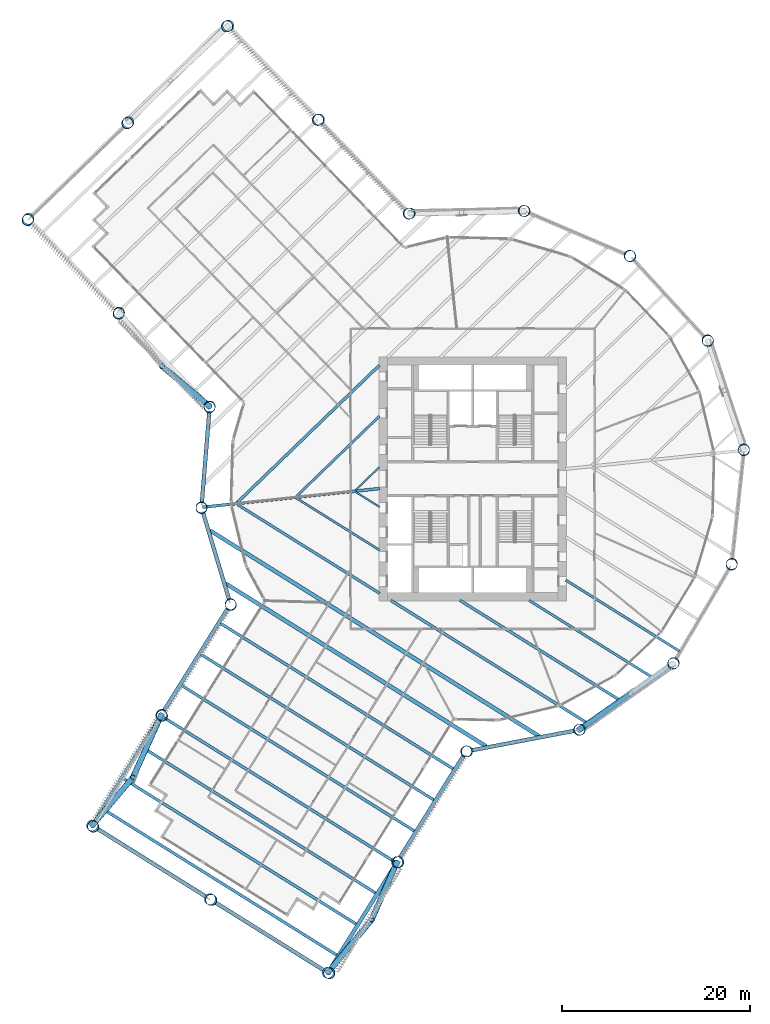
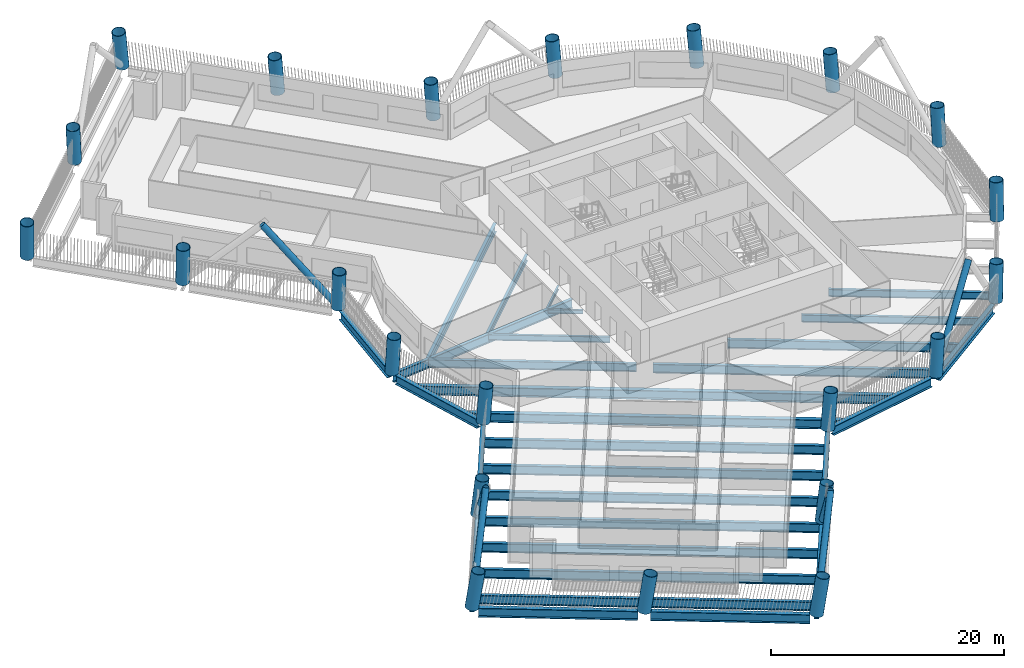
# One storey, part 1 of 22: 30 beams, 22 columns, 6 members.
"""IFC4 building model written with IfcOpenShell, lengths in metres."""

from ifc_helpers import new_model, si_unit, direction, frame, origin, origin_2d, place, context, subcontext, project, spatial, hollow_circle, i_section, extrude, material, material_profile, profile_set, type_object, element, save


model = new_model("IFC4")

# Units and contexts
model_context = context("Model", 3, precision=1e-05, world=origin(), true_north=direction((0.0, 1.0)))
body_context = subcontext(model_context, "Body", "Model", "MODEL_VIEW")
ifc_project = project(units=[si_unit("LENGTHUNIT", "METRE"), si_unit("AREAUNIT", "SQUARE_METRE"), si_unit("VOLUMEUNIT", "CUBIC_METRE"), si_unit("PLANEANGLEUNIT", "RADIAN"), si_unit("MASSUNIT", "GRAM", prefix="KILO")], contexts=[model_context])

# Site, building, storey
site_placement = place(None, origin())
site = spatial("IfcSite", under=ifc_project, at=site_placement, CompositionType="ELEMENT")
building_placement = place(site_placement, origin())
building = spatial("IfcBuilding", under=site, at=building_placement, Name="Tarsis Ring Headquarters", CompositionType="ELEMENT")
storey_placement = place(building_placement, frame((0.0, 0.0, 71.199951171875)))
storey = spatial("IfcBuildingStorey", under=building, at=storey_placement, Name="L15", CompositionType="ELEMENT", Elevation=71.199951171875)

# Columns
ifc_material_1 = material(Name="Structural steel S460", Category="steel")
ifc_material_profile_1 = material_profile(ifc_material_1, hollow_circle(Radius=0.609619140625, WallThickness=0.050048828125, at=origin_2d()), Name="CHS 1219x50")
ifc_profile_set_1 = profile_set([ifc_material_profile_1], Name="Structural steel S460")
column_type = type_object("IfcColumnType", Name="XC Exo column CHS 1219x50", PredefinedType="COLUMN", material=ifc_profile_set_1)
column_1_placement = place(storey_placement, frame((-28.889404296875, -3.036376953125, 0.000732421875), z_axis=(0.008553143868, -0.07729045335, 0.996971930172), x_axis=(0.993932591496, 0.109990924907, 0.0)))
element("IfcColumn", 1, at=column_1_placement, inside=storey, type_object=column_type, Name="Exo column XC1 F1", PredefinedType="COLUMN", context=body_context, shape_type="SweptSolid", body=[
    extrude(hollow_circle(Radius=0.609619140625, WallThickness=0.050048828125, at=origin_2d()), origin(), (0.0, 0.0, 1.0), 3.91064453125),
])
column_2_placement = place(storey_placement, frame((-25.796630859375, -13.354736328125, 0.000732421875), z_axis=(0.03608557732, -0.068862269522, 0.996973329105), x_axis=(0.885752933267, 0.464157022147, 0.0)))
element("IfcColumn", 2, at=column_2_placement, inside=storey, type_object=column_type, Name="Exo column XC1 AK", PredefinedType="COLUMN", context=body_context, shape_type="SweptSolid", body=[
    extrude(hollow_circle(Radius=0.609619140625, WallThickness=0.050048828125, at=origin_2d()), origin(), (0.0, 0.0, 1.0), 3.910400390625),
])
column_3_placement = place(storey_placement, frame((-33.163818359375, -25.14453125, 0.000732421875), z_axis=(0.06759025852, -0.088128734866, 0.993813303918), x_axis=(0.793498115784, 0.608572707445, 0.0)))
element("IfcColumn", 3, at=column_3_placement, inside=storey, type_object=column_type, Name="Exo column XC1 AI1", PredefinedType="COLUMN", context=body_context, shape_type="SweptSolid", body=[
    extrude(hollow_circle(Radius=0.609619140625, WallThickness=0.050048828125, at=origin_2d()), origin(), (0.0, 0.0, 1.0), 3.922607421875),
])
column_4_placement = place(storey_placement, frame((-40.53076171875, -36.934326171875, 0.0009765625), z_axis=(0.098704079845, -0.107130793504, 0.989333360251), x_axis=(0.735439115942, 0.677590810698, 0.0)))
element("IfcColumn", 4, at=column_4_placement, inside=storey, type_object=column_type, Name="Exo column XC1 AT1", PredefinedType="COLUMN", context=body_context, shape_type="SweptSolid", body=[
    extrude(hollow_circle(Radius=0.609619140625, WallThickness=0.050048828125, at=origin_2d()), origin(), (0.0, 0.0, 1.0), 3.940185546875),
])
column_5_placement = place(storey_placement, frame((-27.979736328125, -44.777099609375, 0.0009765625), z_axis=(0.119429767014, -0.073728968318, 0.990101292789), x_axis=(0.525304748527, 0.850914167925, 0.0)))
element("IfcColumn", 5, at=column_5_placement, inside=storey, type_object=column_type, Name="Exo column XC1 AT2", PredefinedType="COLUMN", context=body_context, shape_type="SweptSolid", body=[
    extrude(hollow_circle(Radius=0.609619140625, WallThickness=0.050048828125, at=origin_2d()), origin(), (0.0, 0.0, 1.0), 3.937255859375),
])
column_6_placement = place(storey_placement, frame((-15.428466796875, -52.619873046875, 0.0009765625), z_axis=(0.139970946797, -0.040212990027, 0.98933869301), x_axis=(0.276125666252, 0.961121540929, 0.0)))
element("IfcColumn", 6, at=column_6_placement, inside=storey, type_object=column_type, Name="Exo column XC1 AT3", PredefinedType="COLUMN", context=body_context, shape_type="SweptSolid", body=[
    extrude(hollow_circle(Radius=0.609619140625, WallThickness=0.050048828125, at=origin_2d()), origin(), (0.0, 0.0, 1.0), 3.940185546875),
])
column_7_placement = place(storey_placement, frame((-8.0615234375, -40.830078125, 0.000732421875), z_axis=(0.109102568834, -0.02091184434, 0.99381050721), x_axis=(0.188244747284, 0.982122148778, 0.0)))
element("IfcColumn", 7, at=column_7_placement, inside=storey, type_object=column_type, Name="Exo column XC1 AO1", PredefinedType="COLUMN", context=body_context, shape_type="SweptSolid", body=[
    extrude(hollow_circle(Radius=0.609619140625, WallThickness=0.050048828125, at=origin_2d()), origin(), (0.0, 0.0, 1.0), 3.922607421875),
])
for number, where, z_axis, x_axis, name in (
    (8, (-0.6943359375, -29.040283203125, 0.000732421875), (0.077727605421, -0.001435931666, 0.996973599177), (0.018470743959, 0.999829401257, 0.0), "Exo column XC1 AJ"),
    (9, (11.33740234375, -26.74462890625, 0.000732421875), (0.07142195821, 0.030716436573, 0.996973121207), (-0.395081966336, 0.918645872944, 0.0), "Exo column XC1 R1"),
):
    element("IfcColumn", number, at=place(storey_placement, frame(where, z_axis=z_axis, x_axis=x_axis)), inside=storey, type_object=column_type, Name=name, PredefinedType="COLUMN", context=body_context, shape_type="SweptSolid", body=[
        extrude(hollow_circle(Radius=0.609619140625, WallThickness=0.050048828125, at=origin_2d()), origin(), (0.0, 0.0, 1.0), 3.910400390625),
    ])
column_8_placement = place(storey_placement, frame((21.353271484375, -19.69384765625, 0.000732421875), z_axis=(0.052442573944, 0.057437104796, 0.996970789658), x_axis=(-0.738485493928, 0.674269364021, 0.0)))
element("IfcColumn", 10, at=column_8_placement, inside=storey, type_object=column_type, Name="Exo column XC1 R2", PredefinedType="COLUMN", context=body_context, shape_type="SweptSolid", body=[
    extrude(hollow_circle(Radius=0.609619140625, WallThickness=0.050048828125, at=origin_2d()), origin(), (0.0, 0.0, 1.0), 3.91064453125),
])
column_9_placement = place(storey_placement, frame((27.57275390625, -9.141357421875, 0.000732421875), z_axis=(0.024036269617, 0.073919333055, 0.996974518202), x_axis=(-0.950986837379, 0.309231361817, 0.0)))
element("IfcColumn", 11, at=column_9_placement, inside=storey, type_object=column_type, Name="Exo column XC1 R3", PredefinedType="COLUMN", context=body_context, shape_type="SweptSolid", body=[
    extrude(hollow_circle(Radius=0.609619140625, WallThickness=0.050048828125, at=origin_2d()), origin(), (0.0, 0.0, 1.0), 3.910400390625),
])
column_10_placement = place(storey_placement, frame((28.889404296875, 3.036376953125, 0.000732421875), z_axis=(-0.008553143868, 0.07729045335, 0.996971930172), x_axis=(-0.993932591496, -0.109990924907, 0.0)))
element("IfcColumn", 12, at=column_10_placement, inside=storey, type_object=column_type, Name="Exo column XC1 R4", PredefinedType="COLUMN", context=body_context, shape_type="SweptSolid", body=[
    extrude(hollow_circle(Radius=0.609619140625, WallThickness=0.050048828125, at=origin_2d()), origin(), (0.0, 0.0, 1.0), 3.91064453125),
])
column_11_placement = place(storey_placement, frame((25.0693359375, 14.67431640625, 0.000732421875), z_axis=(-0.03958172334, 0.066926825585, 0.9969724606), x_axis=(-0.860734650536, -0.50905388847, 0.0)))
element("IfcColumn", 13, at=column_11_placement, inside=storey, type_object=column_type, Name="Exo column XC1 R5", PredefinedType="COLUMN", context=body_context, shape_type="SweptSolid", body=[
    extrude(hollow_circle(Radius=0.609619140625, WallThickness=0.050048828125, at=origin_2d()), origin(), (0.0, 0.0, 1.0), 3.910400390625),
])
column_12_placement = place(storey_placement, frame((16.7919921875, 23.703125, 0.000732421875), z_axis=(-0.0636803149, 0.044638652111, 0.996971518265), x_axis=(-0.574001011359, -0.818854589631, 0.0)))
element("IfcColumn", 14, at=column_12_placement, inside=storey, type_object=column_type, Name="Exo column XC1 R6", PredefinedType="COLUMN", context=body_context, shape_type="SweptSolid", body=[
    extrude(hollow_circle(Radius=0.609619140625, WallThickness=0.050048828125, at=origin_2d()), origin(), (0.0, 0.0, 1.0), 3.91064453125),
])
for number, where, z_axis, x_axis, name in (
    (15, (5.529052734375, 28.517578125, 0.000732421875), (-0.076416459639, 0.014359302056, 0.996972584949), (-0.184676356201, -0.98279939126, 0.0), "Exo column XC1 R7"),
    (16, (-6.71728515625, 28.26123046875, 0.000732421875), (-0.075542494666, -0.018354953249, 0.99697363415), (0.236105662795, -0.971727387695, 0.0), "Exo column XC1 BJ"),
):
    element("IfcColumn", number, at=place(storey_placement, frame(where, z_axis=z_axis, x_axis=x_axis)), inside=storey, type_object=column_type, Name=name, PredefinedType="COLUMN", context=body_context, shape_type="SweptSolid", body=[
        extrude(hollow_circle(Radius=0.609619140625, WallThickness=0.050048828125, at=origin_2d()), origin(), (0.0, 0.0, 1.0), 3.910400390625),
    ])
column_13_placement = place(storey_placement, frame((-16.37451171875, 38.26171875, 0.000732421875), z_axis=(-0.10188312488, -0.044251009035, 0.993811690948), x_axis=(0.398377784142, -0.917221424249, 0.0)))
element("IfcColumn", 17, at=column_13_placement, inside=storey, type_object=column_type, Name="Exo column XC1 BO1", PredefinedType="COLUMN", context=body_context, shape_type="SweptSolid", body=[
    extrude(hollow_circle(Radius=0.609619140625, WallThickness=0.050048828125, at=origin_2d()), origin(), (0.0, 0.0, 1.0), 3.922607421875),
])
column_14_placement = place(storey_placement, frame((-26.03173828125, 48.261962890625, 0.0009765625), z_axis=(-0.127887002391, -0.069829773108, 0.989327406578), x_axis=(0.479239399673, -0.877684224423, 0.0)))
element("IfcColumn", 18, at=column_14_placement, inside=storey, type_object=column_type, Name="Exo column XC1 BT3", PredefinedType="COLUMN", context=body_context, shape_type="SweptSolid", body=[
    extrude(hollow_circle(Radius=0.609619140625, WallThickness=0.050048828125, at=origin_2d()), origin(), (0.0, 0.0, 1.0), 3.940185546875),
])
column_15_placement = place(storey_placement, frame((-36.677978515625, 37.98095703125, 0.0009765625), z_axis=(-0.100454796665, -0.098036440449, 0.990099838487), x_axis=(0.69843977243, -0.715668837025, 0.0)))
element("IfcColumn", 19, at=column_15_placement, inside=storey, type_object=column_type, Name="Exo column XC1 BT2", PredefinedType="COLUMN", context=body_context, shape_type="SweptSolid", body=[
    extrude(hollow_circle(Radius=0.609619140625, WallThickness=0.050048828125, at=origin_2d()), origin(), (0.0, 0.0, 1.0), 3.937255859375),
])
column_16_placement = place(storey_placement, frame((-47.32421875, 27.7001953125, 0.0009765625), z_axis=(-0.072927754961, -0.126152004333, 0.989326646947), x_axis=(0.865746346429, -0.500483030327, 0.0)))
element("IfcColumn", 20, at=column_16_placement, inside=storey, type_object=column_type, Name="Exo column XC1 BT1", PredefinedType="COLUMN", context=body_context, shape_type="SweptSolid", body=[
    extrude(hollow_circle(Radius=0.609619140625, WallThickness=0.050048828125, at=origin_2d()), origin(), (0.0, 0.0, 1.0), 3.940185546875),
])
column_17_placement = place(storey_placement, frame((-37.6669921875, 17.69970703125, 0.000732421875), z_axis=(-0.046678426843, -0.100763164078, 0.99381482643), x_axis=(0.907367960467, -0.4203372269, 0.0)))
element("IfcColumn", 21, at=column_17_placement, inside=storey, type_object=column_type, Name="Exo column XC1 BI1", PredefinedType="COLUMN", context=body_context, shape_type="SweptSolid", body=[
    extrude(hollow_circle(Radius=0.609619140625, WallThickness=0.050048828125, at=origin_2d()), origin(), (0.0, 0.0, 1.0), 3.922607421875),
])
column_18_placement = place(storey_placement, frame((-28.009521484375, 7.69921875, 0.000732421875), z_axis=(-0.020227937465, -0.07504315072, 0.996975103037), x_axis=(0.965538157835, -0.260261533393, 0.0)))
element("IfcColumn", 22, at=column_18_placement, inside=storey, type_object=column_type, Name="Exo column XC1 BK", PredefinedType="COLUMN", context=body_context, shape_type="SweptSolid", body=[
    extrude(hollow_circle(Radius=0.609619140625, WallThickness=0.050048828125, at=origin_2d()), origin(), (0.0, 0.0, 1.0), 3.910400390625),
])

# Beams
ifc_material_2 = material(Name="Structural steel S355", Category="steel")
ifc_material_profile_2 = material_profile(ifc_material_2, i_section(OverallWidth=0.177734375, OverallDepth=0.406494140625, WebThickness=0.0078125, FlangeThickness=0.0126953125, at=origin_2d()), Name="W16x40")
ifc_profile_set_2 = profile_set([ifc_material_profile_2], Name="Structural steel S355")
beam_type_1 = type_object("IfcBeamType", Name="FB Floor beam W16x40", PredefinedType="JOIST", material=ifc_profile_set_2)
beam_1_placement = place(storey_placement, frame((-12.47119140625, -1.40478515625, -0.363037109375), z_axis=(0.848039258957, -0.529933406447, 0.0), x_axis=(0.529933406447, 0.848039258957, 0.0)))
element("IfcBeam", 23, at=beam_1_placement, inside=storey, type_object=beam_type_1, Name="Floor beam FB1", PredefinedType="JOIST", context=body_context, shape_type="SweptSolid", body=[
    extrude(i_section(OverallWidth=0.177734375, OverallDepth=0.406494140625, WebThickness=0.0078125, FlangeThickness=0.0126953125, at=origin_2d()), origin(), (0.0, 0.0, 1.0), 3.013916015625),
])
beam_2_placement = place(storey_placement, frame((-9.927978515625, 1.255859375, -0.363037109375), z_axis=(-0.7193341526, -0.694664218816, 0.0), x_axis=(0.694664218816, -0.7193341526, 0.0)))
element("IfcBeam", 24, at=beam_2_placement, inside=storey, type_object=beam_type_1, Name="Floor beam FB1", PredefinedType="JOIST", context=body_context, shape_type="SweptSolid", body=[
    extrude(i_section(OverallWidth=0.177734375, OverallDepth=0.406494140625, WebThickness=0.0078125, FlangeThickness=0.0126953125, at=origin_2d()), origin(), (0.0, 0.0, 1.0), 3.562744140625),
])
ifc_material_profile_3 = material_profile(ifc_material_2, i_section(OverallWidth=0.228271484375, OverallDepth=0.607177734375, WebThickness=0.01123046875, FlangeThickness=0.017333984375, at=origin_2d()), Name="W24x76")
ifc_profile_set_3 = profile_set([ifc_material_profile_3], Name="Structural steel S355")
beam_type_2 = type_object("IfcBeamType", Name="FB Floor beam W24x76", PredefinedType="JOIST", material=ifc_profile_set_3)
beam_3_placement = place(storey_placement, frame((-18.771240234375, -2.06689453125, -0.463623046875), z_axis=(0.84805346358, -0.529910674464, 0.0), x_axis=(0.529910674464, 0.84805346358, 0.0)))
element("IfcBeam", 25, at=beam_3_placement, inside=storey, type_object=beam_type_2, Name="Floor beam FB4", PredefinedType="JOIST", context=body_context, shape_type="SweptSolid", body=[
    extrude(i_section(OverallWidth=0.228271484375, OverallDepth=0.607177734375, WebThickness=0.01123046875, FlangeThickness=0.017333984375, at=origin_2d()), origin(), (0.0, 0.0, 1.0), 10.442626953125),
])
ifc_material_profile_4 = material_profile(ifc_material_2, i_section(OverallWidth=0.2529296875, OverallDepth=0.67822265625, WebThickness=0.01171875, FlangeThickness=0.016357421875, at=origin_2d()), Name="W27x84")
ifc_profile_set_4 = profile_set([ifc_material_profile_4], Name="Structural steel S355")
beam_type_3 = type_object("IfcBeamType", Name="FB Floor beam W27x84", PredefinedType="JOIST", material=ifc_profile_set_4)
beam_4_placement = place(storey_placement, frame((-9.927978515625, 6.677490234375, -0.4990234375), z_axis=(-0.71934409672, -0.694653921399, 0.0), x_axis=(0.694653921399, -0.71934409672, 0.0)))
element("IfcBeam", 26, at=beam_4_placement, inside=storey, type_object=beam_type_3, Name="Floor beam FB5", PredefinedType="JOIST", context=body_context, shape_type="SweptSolid", body=[
    extrude(i_section(OverallWidth=0.2529296875, OverallDepth=0.67822265625, WebThickness=0.01171875, FlangeThickness=0.016357421875, at=origin_2d()), origin(), (0.0, 0.0, 1.0), 12.320556640625),
])
ifc_material_profile_5 = material_profile(ifc_material_2, i_section(OverallWidth=0.2666015625, OverallDepth=0.7568359375, WebThickness=0.013916015625, FlangeThickness=0.019287109375, at=origin_2d()), Name="W30x108")
ifc_profile_set_5 = profile_set([ifc_material_profile_5], Name="Structural steel S355")
beam_type_4 = type_object("IfcBeamType", Name="FB Floor beam W30x108", PredefinedType="JOIST", material=ifc_profile_set_5)
beam_5_placement = place(storey_placement, frame((9.915283203125, -10.79443359375, -0.538330078125), z_axis=(0.84804445153, -0.529925096811, 0.0), x_axis=(0.529925096811, 0.84804445153, 0.0)))
element("IfcBeam", 27, at=beam_5_placement, inside=storey, type_object=beam_type_4, Name="Floor beam FB6", PredefinedType="JOIST", context=body_context, shape_type="SweptSolid", body=[
    extrude(i_section(OverallWidth=0.2666015625, OverallDepth=0.7568359375, WebThickness=0.013916015625, FlangeThickness=0.019287109375, at=origin_2d()), origin(), (0.0, 0.0, 1.0), 14.265380859375),
])
beam_6_placement = place(storey_placement, frame((6.000244140625, -12.947021484375, -0.538330078125), z_axis=(0.848047134159, -0.529920803748, 0.0), x_axis=(0.529920803748, 0.848047134159, 0.0)))
element("IfcBeam", 28, at=beam_6_placement, inside=storey, type_object=beam_type_4, Name="Floor beam FB6", PredefinedType="JOIST", context=body_context, shape_type="SweptSolid", body=[
    extrude(i_section(OverallWidth=0.2666015625, OverallDepth=0.7568359375, WebThickness=0.013916015625, FlangeThickness=0.019287109375, at=origin_2d()), origin(), (0.0, 0.0, 1.0), 15.44775390625),
])
ifc_material_profile_6 = material_profile(ifc_material_2, i_section(OverallWidth=0.2919921875, OverallDepth=0.835693359375, WebThickness=0.013916015625, FlangeThickness=0.018798828125, at=origin_2d()), Name="W33x118")
ifc_profile_set_6 = profile_set([ifc_material_profile_6], Name="Structural steel S355")
beam_type_5 = type_object("IfcBeamType", Name="FB Floor beam W33x118", PredefinedType="JOIST", material=ifc_profile_set_6)
beam_7_placement = place(storey_placement, frame((-25.071044921875, -2.72900390625, -0.577880859375), z_axis=(0.848045883752, -0.529922804804, 0.0), x_axis=(0.529922804804, 0.848045883752, 0.0)))
element("IfcBeam", 29, at=beam_7_placement, inside=storey, type_object=beam_type_5, Name="Floor beam FB7", PredefinedType="JOIST", context=body_context, shape_type="SweptSolid", body=[
    extrude(i_section(OverallWidth=0.2919921875, OverallDepth=0.835693359375, WebThickness=0.013916015625, FlangeThickness=0.018798828125, at=origin_2d()), origin(), (0.0, 0.0, 1.0), 17.871337890625),
])
ifc_material_profile_7 = material_profile(ifc_material_2, i_section(OverallWidth=0.3046875, OverallDepth=0.904296875, WebThickness=0.01513671875, FlangeThickness=0.02001953125, at=origin_2d()), Name="W36x135")
ifc_profile_set_7 = profile_set([ifc_material_profile_7], Name="Structural steel S355")
beam_type_6 = type_object("IfcBeamType", Name="FB Floor beam W36x135", PredefinedType="JOIST", material=ifc_profile_set_7)
beam_8_placement = place(storey_placement, frame((-1.359375, -12.947021484375, -0.612060546875), z_axis=(0.848048249983, -0.52991901806, 0.0), x_axis=(0.52991901806, 0.848048249983, 0.0)))
element("IfcBeam", 30, at=beam_8_placement, inside=storey, type_object=beam_type_6, Name="Floor beam FB8", PredefinedType="JOIST", context=body_context, shape_type="SweptSolid", body=[
    extrude(i_section(OverallWidth=0.3046875, OverallDepth=0.904296875, WebThickness=0.01513671875, FlangeThickness=0.02001953125, at=origin_2d()), origin(), (0.0, 0.0, 1.0), 20.045166015625),
])
beam_9_placement = place(storey_placement, frame((-9.927978515625, 12.09912109375, -0.612060546875), z_axis=(-0.719340188393, -0.694657968616, 0.0), x_axis=(0.694657968616, -0.719340188393, 0.0)))
element("IfcBeam", 31, at=beam_9_placement, inside=storey, type_object=beam_type_6, Name="Floor beam FB8", PredefinedType="JOIST", context=body_context, shape_type="SweptSolid", body=[
    extrude(i_section(OverallWidth=0.3046875, OverallDepth=0.904296875, WebThickness=0.01513671875, FlangeThickness=0.02001953125, at=origin_2d()), origin(), (0.0, 0.0, 1.0), 21.078369140625),
])
ifc_material_profile_8 = material_profile(ifc_material_2, i_section(OverallWidth=0.309814453125, OverallDepth=0.93212890625, WebThickness=0.02099609375, FlangeThickness=0.034423828125, at=origin_2d()), Name="W36x210")
ifc_profile_set_8 = profile_set([ifc_material_profile_8], Name="Structural steel S355")
beam_type_7 = type_object("IfcBeamType", Name="FB Floor beam W36x210", PredefinedType="JOIST", material=ifc_profile_set_8)
beam_10_placement = place(storey_placement, frame((-8.718994140625, -12.947021484375, -0.6259765625), z_axis=(0.848046167339, -0.529922350974, 0.0), x_axis=(0.529922350974, 0.848046167339, 0.0)))
element("IfcBeam", 32, at=beam_10_placement, inside=storey, type_object=beam_type_7, Name="Floor beam FB10", PredefinedType="JOIST", context=body_context, shape_type="SweptSolid", body=[
    extrude(i_section(OverallWidth=0.309814453125, OverallDepth=0.93212890625, WebThickness=0.02099609375, FlangeThickness=0.034423828125, at=origin_2d()), origin(), (0.0, 0.0, 1.0), 24.642578125),
])
ifc_material_profile_9 = material_profile(ifc_material_2, i_section(OverallWidth=0.309814453125, OverallDepth=0.949951171875, WebThickness=0.0244140625, FlangeThickness=0.0439453125, at=origin_2d()), Name="W36x256")
ifc_profile_set_9 = profile_set([ifc_material_profile_9], Name="Structural steel S355")
beam_type_8 = type_object("IfcBeamType", Name="FB Floor beam W36x256", PredefinedType="JOIST", material=ifc_profile_set_9)
for number, where, z_axis, x_axis, name in (
    (33, (-26.9228515625, -15.368408203125, -0.635009765625), (0.848050593573, -0.529915267511, 0.0), (0.529915267511, 0.848050593573, 0.0), "Floor beam FB11"),
    (34, (-28.989501953125, -18.67578125, -0.635009765625), (0.848050593573, -0.529915267511, 0.0), (0.529915267511, 0.848050593573, 0.0), "Floor beam FB11"),
    (35, (-31.05615234375, -21.983154296875, -0.635009765625), (0.848050593573, -0.529915267511, 0.0), (0.529915267511, 0.848050593573, 0.0), "Floor beam FB11"),
    (36, (-33.122802734375, -25.29052734375, -0.635009765625), (0.848050593573, -0.529915267511, 0.0), (0.529915267511, 0.848050593573, 0.0), "Floor beam FB11"),
    (37, (-35.189697265625, -28.597900390625, -0.635009765625), (0.848050593573, -0.529915267511, 0.0), (0.529915267511, 0.848050593573, 0.0), "Floor beam FB11"),
):
    element("IfcBeam", number, at=place(storey_placement, frame(where, z_axis=z_axis, x_axis=x_axis)), inside=storey, type_object=beam_type_8, Name=name, PredefinedType="JOIST", context=body_context, shape_type="SweptSolid", body=[
        extrude(i_section(OverallWidth=0.309814453125, OverallDepth=0.949951171875, WebThickness=0.0244140625, FlangeThickness=0.0439453125, at=origin_2d()), origin(), (0.0, 0.0, 1.0), 29.375732421875),
    ])
for number, where, z_axis, x_axis, name in (
    (38, (-37.25634765625, -31.9052734375, -0.635009765625), (0.848046858664, -0.529921244631, 0.0), (0.529921244631, 0.848046858664, 0.0), "Floor beam FB11"),
    (39, (-39.322998046875, -35.212646484375, -0.635009765625), (0.848046858664, -0.529921244631, 0.0), (0.529921244631, 0.848046858664, 0.0), "Floor beam FB11"),
):
    element("IfcBeam", number, at=place(storey_placement, frame(where, z_axis=z_axis, x_axis=x_axis)), inside=storey, type_object=beam_type_8, Name=name, PredefinedType="JOIST", context=body_context, shape_type="SweptSolid", body=[
        extrude(i_section(OverallWidth=0.309814453125, OverallDepth=0.949951171875, WebThickness=0.0244140625, FlangeThickness=0.0439453125, at=origin_2d()), origin(), (0.0, 0.0, 1.0), 29.3759765625),
    ])
beam_type_9 = type_object("IfcBeamType", Name="FB Floor beam W36x256 spine", PredefinedType="BEAM", material=ifc_profile_set_9)
beam_11_placement = place(storey_placement, frame((-9.900634765625, -1.04052734375, -0.635009765625), z_axis=(-0.994522146805, -0.104526070975, 0.0), x_axis=(0.104526070975, -0.994522146805, 0.0)))
element("IfcBeam", 40, at=beam_11_placement, inside=storey, type_object=beam_type_9, Name="Floor beam SB11", PredefinedType="BEAM", context=body_context, shape_type="SweptSolid", body=[
    extrude(i_section(OverallWidth=0.309814453125, OverallDepth=0.949951171875, WebThickness=0.0244140625, FlangeThickness=0.0439453125, at=origin_2d()), origin(), (0.0, 0.0, 1.0), 18.9775390625),
])
ifc_material_profile_10 = material_profile(ifc_material_2, i_section(OverallWidth=0.42431640625, OverallDepth=0.947509765625, WebThickness=0.02392578125, FlangeThickness=0.042724609375, at=origin_2d()), Name="W36x302")
ifc_profile_set_10 = profile_set([ifc_material_profile_10], Name="Structural steel S355")
beam_type_10 = type_object("IfcBeamType", Name="FB Floor beam W36x302", PredefinedType="JOIST", material=ifc_profile_set_10)
beam_12_placement = place(storey_placement, frame((-27.9990234375, -5.498291015625, -0.633544921875), z_axis=(0.848047388256, -0.52992039711, 0.0), x_axis=(0.52992039711, 0.848047388256, 0.0)))
element("IfcBeam", 41, at=beam_12_placement, inside=storey, type_object=beam_type_10, Name="Floor beam FB12", PredefinedType="JOIST", context=body_context, shape_type="SweptSolid", body=[
    extrude(i_section(OverallWidth=0.42431640625, OverallDepth=0.947509765625, WebThickness=0.02392578125, FlangeThickness=0.042724609375, at=origin_2d()), origin(), (0.0, 0.0, 1.0), 41.35302734375),
])
beam_13_placement = place(storey_placement, frame((-26.302978515625, -11.156982421875, -0.633544921875), z_axis=(0.848048206813, -0.529919087146, 0.0), x_axis=(0.529919087146, 0.848048206813, 0.0)))
element("IfcBeam", 42, at=beam_13_placement, inside=storey, type_object=beam_type_10, Name="Floor beam FB12", PredefinedType="JOIST", context=body_context, shape_type="SweptSolid", body=[
    extrude(i_section(OverallWidth=0.42431640625, OverallDepth=0.947509765625, WebThickness=0.02392578125, FlangeThickness=0.042724609375, at=origin_2d()), origin(), (0.0, 0.0, 1.0), 32.70458984375),
])

# Members
ifc_material_profile_11 = material_profile(ifc_material_2, hollow_circle(Radius=0.3046875, WallThickness=0.02490234375, at=origin_2d()), Name="CHS 610x25")
ifc_profile_set_11 = profile_set([ifc_material_profile_11], Name="Structural steel S355")
member_type = type_object("IfcMemberType", Name="XD X brace CHS 610x25", PredefinedType="BRACE", material=ifc_profile_set_11)
member_1_placement = place(storey_placement, frame((-33.163818359375, -25.144287109375, 0.0), z_axis=(-0.282922071663, -0.622807552687, 0.729428443154), x_axis=(0.910461323405, -0.413594219716, 0.0)))
element("IfcMember", 43, at=member_1_placement, inside=storey, type_object=member_type, Name="X brace XD1", PredefinedType="BRACE", context=body_context, shape_type="SweptSolid", body=[
    extrude(hollow_circle(Radius=0.3046875, WallThickness=0.02490234375, at=origin_2d()), origin(), (0.0, 0.0, 1.0), 10.693359375),
])
member_2_placement = place(storey_placement, frame((-40.53076171875, -36.93408203125, 0.0), z_axis=(0.421677860906, 0.49824524621, 0.757587919816), x_axis=(-0.763321517682, 0.646018777315, 0.0)))
element("IfcMember", 44, at=member_2_placement, inside=storey, type_object=member_type, Name="X brace XD1", PredefinedType="BRACE", context=body_context, shape_type="SweptSolid", body=[
    extrude(hollow_circle(Radius=0.3046875, WallThickness=0.02490234375, at=origin_2d()), origin(), (0.0, 0.0, 1.0), 10.2958984375),
])
member_3_placement = place(storey_placement, frame((-15.4287109375, -52.61962890625, 0.0), z_axis=(0.435706051507, 0.528561813361, 0.728548314209), x_axis=(-0.771629372169, 0.636072410977, 0.0)))
element("IfcMember", 45, at=member_3_placement, inside=storey, type_object=member_type, Name="X brace XD1", PredefinedType="BRACE", context=body_context, shape_type="SweptSolid", body=[
    extrude(hollow_circle(Radius=0.3046875, WallThickness=0.02490234375, at=origin_2d()), origin(), (0.0, 0.0, 1.0), 10.706298828125),
])
member_4_placement = place(storey_placement, frame((-8.0615234375, -40.830078125, 0.0), z_axis=(-0.262816824093, -0.596223079753, 0.75858114671), x_axis=(0.915044016945, -0.403353997195, 0.0)))
element("IfcMember", 46, at=member_4_placement, inside=storey, type_object=member_type, Name="X brace XD1", PredefinedType="BRACE", context=body_context, shape_type="SweptSolid", body=[
    extrude(hollow_circle(Radius=0.3046875, WallThickness=0.02490234375, at=origin_2d()), origin(), (0.0, 0.0, 1.0), 10.282470703125),
])
member_5_placement = place(storey_placement, frame((11.33740234375, -26.74462890625, 0.0), z_axis=(0.533337833297, 0.376182216523, 0.757652753936), x_axis=(-0.576385009298, 0.817178267611, 0.0)))
element("IfcMember", 47, at=member_5_placement, inside=storey, type_object=member_type, Name="X brace XD1", PredefinedType="BRACE", context=body_context, shape_type="SweptSolid", body=[
    extrude(hollow_circle(Radius=0.3046875, WallThickness=0.02490234375, at=origin_2d()), origin(), (0.0, 0.0, 1.0), 10.294921875),
])
member_6_placement = place(storey_placement, frame((-28.009521484375, 7.69921875, 0.0), z_axis=(-0.495779130561, 0.420001391295, 0.760132807482), x_axis=(-0.646386956314, -0.7630097658, 0.0)))
element("IfcMember", 48, at=member_6_placement, inside=storey, type_object=member_type, Name="X brace XD1", PredefinedType="BRACE", context=body_context, shape_type="SweptSolid", body=[
    extrude(hollow_circle(Radius=0.3046875, WallThickness=0.02490234375, at=origin_2d()), origin(), (0.0, 0.0, 1.0), 10.261474609375),
])

# Beams
beam_type_11 = type_object("IfcBeamType", Name="XG Ring girder W36x302", PredefinedType="BEAM", material=ifc_profile_set_10)
beam_14_placement = place(storey_placement, frame((-28.73193359375, -3.56201171875, -0.4736328125), z_axis=(0.287107095047, -0.957898489389, 0.0), x_axis=(0.957898489389, 0.287107095047, 0.0)))
element("IfcBeam", 49, at=beam_14_placement, inside=storey, type_object=beam_type_11, Name="Ring girder XG1", PredefinedType="BEAM", context=body_context, shape_type="SweptSolid", body=[
    extrude(i_section(OverallWidth=0.42431640625, OverallDepth=0.947509765625, WebThickness=0.02392578125, FlangeThickness=0.042724609375, at=origin_2d()), origin(), (0.0, 0.0, 1.0), 9.67431640625),
])
beam_15_placement = place(storey_placement, frame((-26.08740234375, -13.81982421875, -0.4736328125), z_axis=(-0.529916675796, -0.848049713586, 0.0), x_axis=(0.848049713586, -0.529916675796, 0.0)))
element("IfcBeam", 50, at=beam_15_placement, inside=storey, type_object=beam_type_11, Name="Ring girder XG1", PredefinedType="BEAM", context=body_context, shape_type="SweptSolid", body=[
    extrude(i_section(OverallWidth=0.42431640625, OverallDepth=0.947509765625, WebThickness=0.02392578125, FlangeThickness=0.042724609375, at=origin_2d()), origin(), (0.0, 0.0, 1.0), 12.80517578125),
])
beam_16_placement = place(storey_placement, frame((-33.45458984375, -25.609619140625, -0.4736328125), z_axis=(-0.529925244025, -0.848044359538, 0.0), x_axis=(0.848044359538, -0.529925244025, 0.0)))
element("IfcBeam", 51, at=beam_16_placement, inside=storey, type_object=beam_type_11, Name="Ring girder XG1", PredefinedType="BEAM", context=body_context, shape_type="SweptSolid", body=[
    extrude(i_section(OverallWidth=0.42431640625, OverallDepth=0.947509765625, WebThickness=0.02392578125, FlangeThickness=0.042724609375, at=origin_2d()), origin(), (0.0, 0.0, 1.0), 12.804931640625),
])
beam_17_placement = place(storey_placement, frame((-40.065673828125, -37.224853515625, -0.4736328125), z_axis=(0.848052351091, -0.529912454854, 0.0), x_axis=(0.529912454854, 0.848052351091, 0.0)))
element("IfcBeam", 52, at=beam_17_placement, inside=storey, type_object=beam_type_11, Name="Ring girder XG1", PredefinedType="BEAM", context=body_context, shape_type="SweptSolid", body=[
    extrude(i_section(OverallWidth=0.42431640625, OverallDepth=0.947509765625, WebThickness=0.02392578125, FlangeThickness=0.042724609375, at=origin_2d()), origin(), (0.0, 0.0, 1.0), 13.70263671875),
])
beam_18_placement = place(storey_placement, frame((-27.514404296875, -45.067626953125, -0.4736328125), z_axis=(0.848044344237, -0.529925268512, 0.0), x_axis=(0.529925268512, 0.848044344237, 0.0)))
element("IfcBeam", 53, at=beam_18_placement, inside=storey, type_object=beam_type_11, Name="Ring girder XG1", PredefinedType="BEAM", context=body_context, shape_type="SweptSolid", body=[
    extrude(i_section(OverallWidth=0.42431640625, OverallDepth=0.947509765625, WebThickness=0.02392578125, FlangeThickness=0.042724609375, at=origin_2d()), origin(), (0.0, 0.0, 1.0), 13.702880859375),
])
beam_19_placement = place(storey_placement, frame((-15.137939453125, -52.154541015625, -0.4736328125), z_axis=(0.529916675796, 0.848049713586, 0.0), x_axis=(-0.848049713586, 0.529916675796, 0.0)))
element("IfcBeam", 54, at=beam_19_placement, inside=storey, type_object=beam_type_11, Name="Ring girder XG1", PredefinedType="BEAM", context=body_context, shape_type="SweptSolid", body=[
    extrude(i_section(OverallWidth=0.42431640625, OverallDepth=0.947509765625, WebThickness=0.02392578125, FlangeThickness=0.042724609375, at=origin_2d()), origin(), (0.0, 0.0, 1.0), 12.80517578125),
])
beam_20_placement = place(storey_placement, frame((-7.770751953125, -40.36474609375, -0.4736328125), z_axis=(0.52990296364, 0.84805828168, 0.0), x_axis=(-0.84805828168, 0.52990296364, 0.0)))
element("IfcBeam", 55, at=beam_20_placement, inside=storey, type_object=beam_type_11, Name="Ring girder XG1", PredefinedType="BEAM", context=body_context, shape_type="SweptSolid", body=[
    extrude(i_section(OverallWidth=0.42431640625, OverallDepth=0.947509765625, WebThickness=0.02392578125, FlangeThickness=0.042724609375, at=origin_2d()), origin(), (0.0, 0.0, 1.0), 12.804931640625),
])
beam_21_placement = place(storey_placement, frame((-0.155517578125, -28.9375, -0.4736328125), z_axis=(0.982282567866, 0.187405861344, 0.0), x_axis=(-0.187405861344, 0.982282567866, 0.0)))
element("IfcBeam", 56, at=beam_21_placement, inside=storey, type_object=beam_type_11, Name="Ring girder XG1", PredefinedType="BEAM", context=body_context, shape_type="SweptSolid", body=[
    extrude(i_section(OverallWidth=0.42431640625, OverallDepth=0.947509765625, WebThickness=0.02392578125, FlangeThickness=0.042724609375, at=origin_2d()), origin(), (0.0, 0.0, 1.0), 11.1513671875),
])
beam_22_placement = place(storey_placement, frame((11.785888671875, -26.428955078125, -0.4736328125), z_axis=(0.81771405775, 0.575624634426, 0.0), x_axis=(-0.575624634426, 0.81771405775, 0.0)))
element("IfcBeam", 57, at=beam_22_placement, inside=storey, type_object=beam_type_11, Name="Ring girder XG1", PredefinedType="BEAM", context=body_context, shape_type="SweptSolid", body=[
    extrude(i_section(OverallWidth=0.42431640625, OverallDepth=0.947509765625, WebThickness=0.02392578125, FlangeThickness=0.042724609375, at=origin_2d()), origin(), (0.0, 0.0, 1.0), 11.151611328125),
])
beam_23_placement = place(storey_placement, frame((-28.054443359375, 7.152587890625, -0.4736328125), z_axis=(-0.081662829878, -0.996660013353, 0.0), x_axis=(0.996660013353, -0.081662829878, 0.0)))
element("IfcBeam", 58, at=beam_23_placement, inside=storey, type_object=beam_type_11, Name="Ring girder XG1", PredefinedType="BEAM", context=body_context, shape_type="SweptSolid", body=[
    extrude(i_section(OverallWidth=0.42431640625, OverallDepth=0.947509765625, WebThickness=0.02392578125, FlangeThickness=0.042724609375, at=origin_2d()), origin(), (0.0, 0.0, 1.0), 9.67431640625),
])

save(model, "model.ifc")
